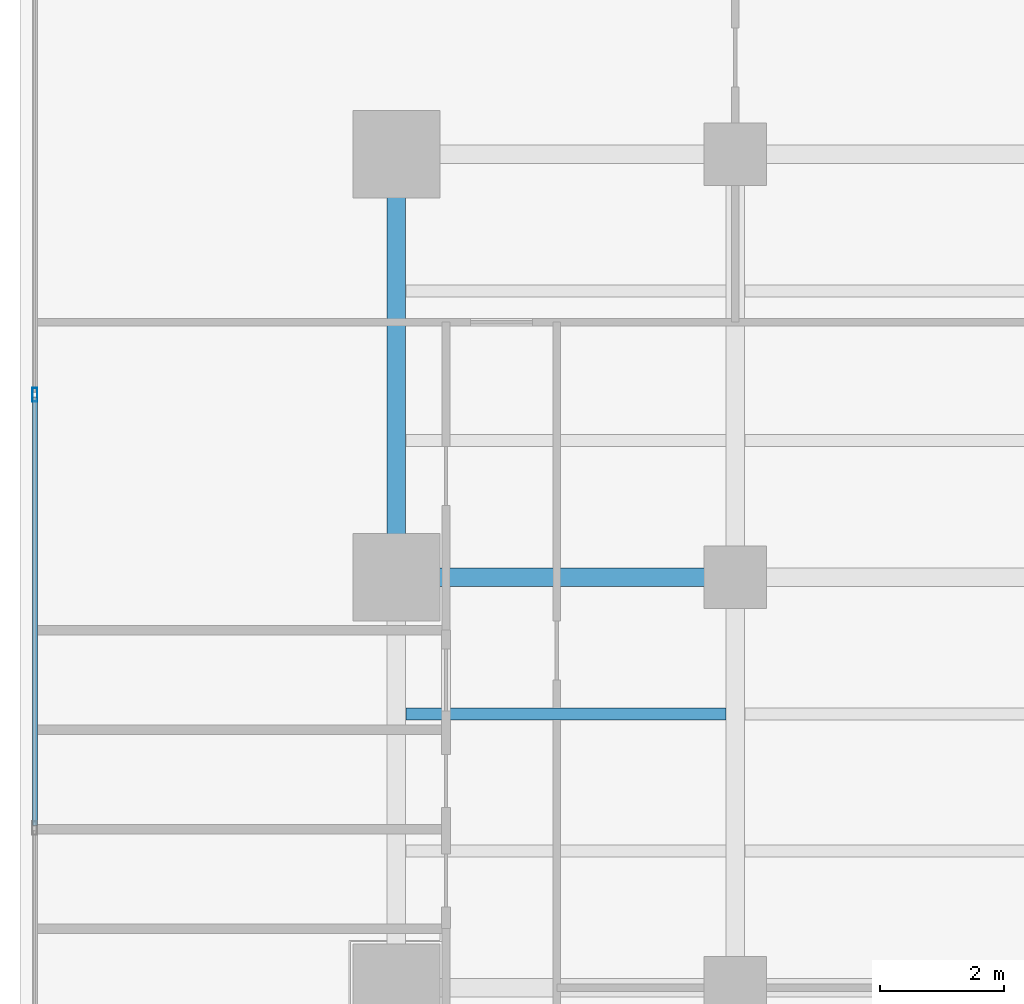
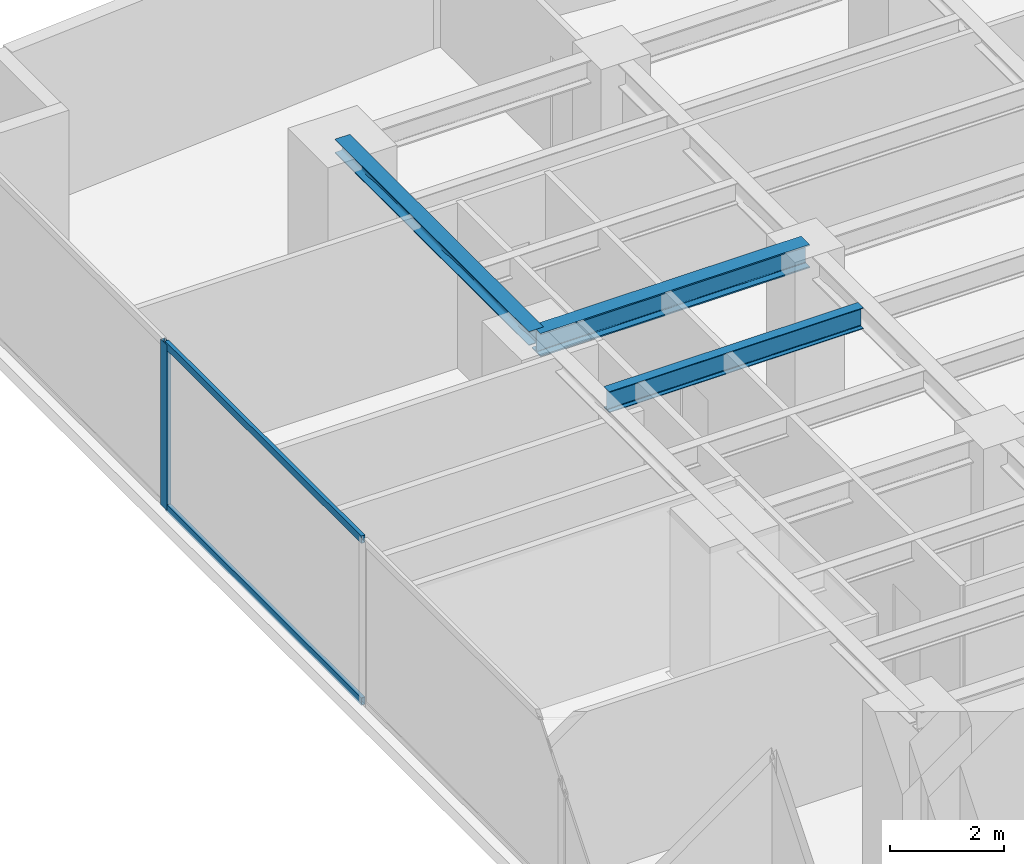
# One storey, part 15 of 28: 3 beams, 3 members, 1 element without a shape of its own.
"""IFC4 building model written with IfcOpenShell, lengths in metres."""

from ifc_helpers import new_model, si_unit, direction, frame, origin, origin_with_axes, origin_2d, place, context, subcontext, project, spatial, hollow_rectangle, i_section, extrude, source, transform, mapped, material, layer, layer_set, material_profile, profile_set, type_object, element, aggregate, save


model = new_model("IFC4")

# Units and contexts
model_context = context("Model", 3, precision=1e-05, world=origin(), true_north=direction((0.0, 1.0)))
body_context = subcontext(model_context, "Body", "Model", "MODEL_VIEW")
ifc_project = project(units=[si_unit("LENGTHUNIT", "METRE"), si_unit("AREAUNIT", "SQUARE_METRE"), si_unit("VOLUMEUNIT", "CUBIC_METRE"), si_unit("PLANEANGLEUNIT", "RADIAN"), si_unit("MASSUNIT", "GRAM", prefix="KILO")], contexts=[model_context])

# Site, building, storey
site_placement = place(None, origin())
site = spatial("IfcSite", under=ifc_project, at=site_placement, CompositionType="ELEMENT")
building_placement = place(site_placement, origin())
building = spatial("IfcBuilding", under=site, at=building_placement, Name="Kolvaren Waterfront Exchange", CompositionType="ELEMENT")
storey_placement = place(building_placement, frame((0.0, 0.0, 103.10009765625)))
storey = spatial("IfcBuildingStorey", under=building, at=storey_placement, Name="L26", CompositionType="ELEMENT", Elevation=103.10009765625)

# Beams
ifc_material_1 = material(Name="Steel S355", Category="steel")
ifc_material_profile_1 = material_profile(ifc_material_1, i_section(OverallWidth=0.300048828125, OverallDepth=0.300048828125, WebThickness=0.010986328125, FlangeThickness=0.01904296875, FilletRadius=0.027099609375, at=origin_2d()), Name="HEB300")
ifc_profile_set_1 = profile_set([ifc_material_profile_1], Name="Steel S355")
beam_type_1 = type_object("IfcBeamType", Name="STR-BM-HEB300", PredefinedType="SPANDREL", material=ifc_profile_set_1)
beam_1_placement = place(storey_placement, frame((7.449951171875, 37.800048828125, 3.389892578125), z_axis=(0.0, 1.0, 0.0), x_axis=(-1.0, 0.0, 0.0)))
element("IfcBeam", 1, at=beam_1_placement, inside=storey, type_object=beam_type_1, Name="L26 north-arm edge beam 3", PredefinedType="SPANDREL", context=body_context, shape_type="SweptSolid", body=[
    extrude(i_section(OverallWidth=0.300048828125, OverallDepth=0.300048828125, WebThickness=0.010986328125, FlangeThickness=0.01904296875, FilletRadius=0.027099609375, at=origin_2d()), origin(), (0.0, 0.0, 1.0), 6.800048828125),
])
ifc_material_profile_2 = material_profile(ifc_material_1, i_section(OverallWidth=0.300048828125, OverallDepth=0.5, WebThickness=0.014404296875, FlangeThickness=0.028076171875, FilletRadius=0.027099609375, at=origin_2d()), Name="HEB500")
ifc_profile_set_2 = profile_set([ifc_material_profile_2], Name="Steel S355")
beam_type_2 = type_object("IfcBeamType", Name="STR-BM-HEB500", PredefinedType="BEAM", material=ifc_profile_set_2)
beam_2_placement = place(storey_placement, frame((7.449951171875, 37.800048828125, 3.289794921875), z_axis=(1.0, 0.0, 0.0), x_axis=(0.0, 1.0, 0.0)))
element("IfcBeam", 2, at=beam_2_placement, inside=storey, type_object=beam_type_2, Name="L26 north-arm girder 3A", PredefinedType="BEAM", context=body_context, shape_type="SweptSolid", body=[
    extrude(i_section(OverallWidth=0.300048828125, OverallDepth=0.5, WebThickness=0.014404296875, FlangeThickness=0.028076171875, FilletRadius=0.027099609375, at=origin_2d()), origin(), (0.0, 0.0, 1.0), 5.449951171875),
])
ifc_material_profile_3 = material_profile(ifc_material_1, i_section(OverallWidth=0.18994140625, OverallDepth=0.449951171875, WebThickness=0.009521484375, FlangeThickness=0.0146484375, FilletRadius=0.02099609375, at=origin_2d()), Name="IPE450")
ifc_profile_set_3 = profile_set([ifc_material_profile_3], Name="Steel S355")
beam_type_3 = type_object("IfcBeamType", Name="STR-BM-IPE450", PredefinedType="JOIST", material=ifc_profile_set_3)
beam_3_placement = place(storey_placement, frame((7.60205078125, 35.60009765625, 3.31494140625), z_axis=(1.0, 0.0, 0.0), x_axis=(0.0, 1.0, 0.0)))
element("IfcBeam", 3, at=beam_3_placement, inside=storey, type_object=beam_type_3, Name="L26 north-arm composite joist 4A", PredefinedType="JOIST", context=body_context, shape_type="SweptSolid", body=[
    extrude(i_section(OverallWidth=0.18994140625, OverallDepth=0.449951171875, WebThickness=0.009521484375, FlangeThickness=0.0146484375, FilletRadius=0.02099609375, at=origin_2d()), origin(), (0.0, 0.0, 1.0), 5.14599609375),
])

# Curtain wall, members
ifc_material_2 = material(Name="Anodised aluminium 6063-T6", Category="aluminium")
ifc_layer = layer(ifc_material_2, 0.219970703125, Name="Anodised aluminium 6063-T6")
ifc_layer_set = layer_set([ifc_layer], Name="Anodised aluminium 6063-T6")
curtain_wall_type = type_object("IfcCurtainWallType", Name="ARC-CW-SYS2", PredefinedType="USERDEFINED", material=ifc_layer_set)
curtain_wall_placement = place(storey_placement, origin())
curtain_wall = element("IfcCurtainWall", 4, at=curtain_wall_placement, inside=storey, type_object=curtain_wall_type, Name="L26 stick curtain wall CW2 (CW-L26-W)", ObjectType="STICK CURTAIN WALL", PredefinedType="USERDEFINED")
ifc_material_profile_4 = material_profile(ifc_material_2, hollow_rectangle(XDim=0.080078125, YDim=0.219970703125, WallThickness=0.0048828125, at=origin_2d()), Name="ALU-MUL-220x80x5")
ifc_profile_set_4 = profile_set([ifc_material_profile_4], Name="Anodised aluminium 6063-T6")
member_type_1 = type_object("IfcMemberType", Name="ARC-CWM-220", PredefinedType="MULLION", material=ifc_profile_set_4)
shared_shape_1 = source(origin_with_axes(), body_context, "Body", "SweptSolid", [
    extrude(hollow_rectangle(XDim=0.080078125, YDim=0.219970703125, WallThickness=0.0048828125, at=origin_2d()), origin(), (0.0, 0.0, 1.0), 3.539794921875),
])
member_1_placement = place(storey_placement, frame((1.639892578125, 40.7333984375, 0.0), z_axis=(0.0, 0.0, 1.0), x_axis=(-1.0, 0.0, 0.0)))
member_1 = element("IfcMember", 5, at=member_1_placement, type_object=member_type_1, Name="CW2 mullion 6", PredefinedType="MULLION", context=body_context, shape_type="MappedRepresentation", body=[
    mapped(shared_shape_1, transform((0.0, 0.0, 0.0), x_axis=(1.0, 0.0, 0.0), y_axis=(0.0, 1.0, 0.0), z_axis=(0.0, 0.0, 1.0), scale=1.0)),
])
ifc_material_profile_5 = material_profile(ifc_material_2, hollow_rectangle(XDim=0.074951171875, YDim=0.159912109375, WallThickness=0.00439453125, at=origin_2d()), Name="ALU-TRN-160x75x4.5")
ifc_profile_set_5 = profile_set([ifc_material_profile_5], Name="Anodised aluminium 6063-T6")
member_type_2 = type_object("IfcMemberType", Name="ARC-CWT-160", PredefinedType="USERDEFINED", material=ifc_profile_set_5)
shared_shape_2 = source(origin_with_axes(), body_context, "Body", "SweptSolid", [
    extrude(hollow_rectangle(XDim=0.074951171875, YDim=0.159912109375, WallThickness=0.00439453125, at=origin_2d()), origin(), (0.0, 0.0, 1.0), 6.88671875),
])
member_2_placement = place(storey_placement, frame((1.639892578125, 33.806640625, 0.037353515625), z_axis=(0.0, 1.0, 0.0), x_axis=(-1.0, 0.0, 0.0)))
member_2 = element("IfcMember", 6, at=member_2_placement, type_object=member_type_2, Name="CW2 transom 5.1", ObjectType="TRANSOM", PredefinedType="USERDEFINED", context=body_context, shape_type="MappedRepresentation", body=[
    mapped(shared_shape_2, transform((0.0, 0.0, 0.0), x_axis=(1.0, 0.0, 0.0), y_axis=(0.0, 1.0, 0.0), z_axis=(0.0, 0.0, 1.0), scale=1.0)),
])
member_3_placement = place(storey_placement, frame((1.639892578125, 33.806640625, 3.50244140625), z_axis=(0.0, 1.0, 0.0), x_axis=(-1.0, 0.0, 0.0)))
member_3 = element("IfcMember", 7, at=member_3_placement, type_object=member_type_2, Name="CW2 transom 5.2", ObjectType="TRANSOM", PredefinedType="USERDEFINED", context=body_context, shape_type="MappedRepresentation", body=[
    mapped(shared_shape_2, transform((0.0, 0.0, 0.0), x_axis=(1.0, 0.0, 0.0), y_axis=(0.0, 1.0, 0.0), z_axis=(0.0, 0.0, 1.0), scale=1.0)),
])
aggregate(curtain_wall, [member_1, member_2, member_3])

save(model, "model.ifc")
